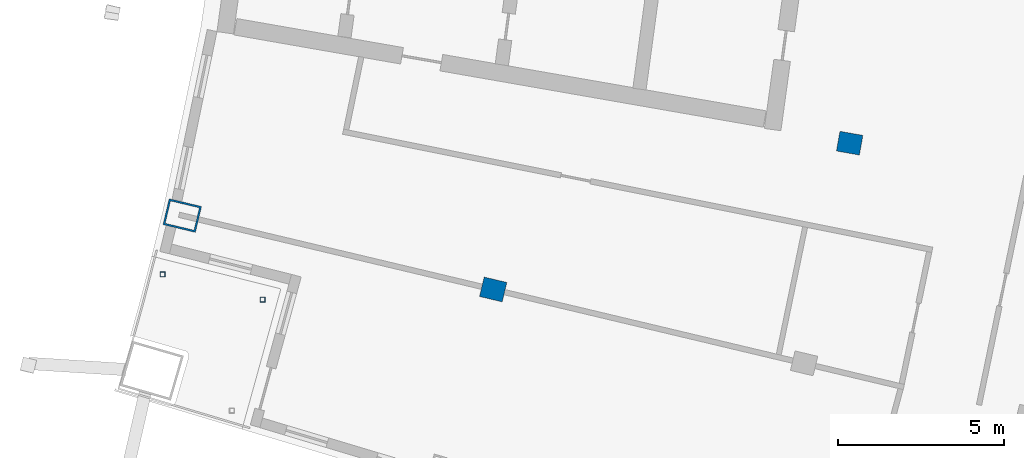
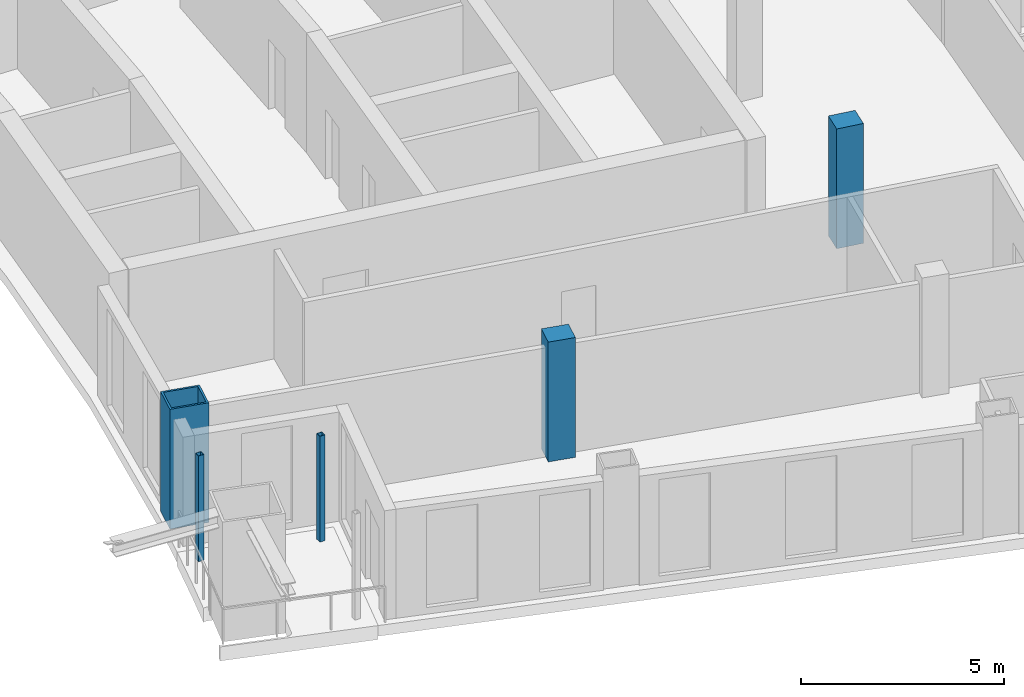
# One storey, part 3 of 20: 5 columns.
"""IFC4 building model written with IfcOpenShell, lengths in metres."""

import ifcopenshell
import ifcopenshell.guid

model = None  # the IFC model being written
_history = None  # IfcOwnerHistory: only IFC2X3 demands one
_inside = {}  # id of a spatial element -> (the spatial element, [elements in it])
_under = {}  # id of a project, library or spatial element -> (it, [spatial elements below it])
_declared = {}  # id of a project -> (the project, [libraries it declares])
_typed = {}  # id of a type object -> (the type object, [elements of that type])
_made_of = {}  # id of a material, layer set ... -> (it, [elements and type objects made of it])


def new_model(schema):
    """Start an empty IFC model of exactly this schema.

    Asked for "IFC4X3", IfcOpenShell would pick the latest addendum, in which some entities
    have other attributes; the version numbers below select the first issue.
    IFC2X3 requires an IfcOwnerHistory on every rooted entity: one is made here for all.
    """
    global model, _history
    if schema == "IFC4X3":
        model = ifcopenshell.file(schema_version=(4, 3, 0, 0))
    else:
        model = ifcopenshell.file(schema=schema)
    _inside.clear()
    _under.clear()
    _declared.clear()
    _typed.clear()
    _made_of.clear()
    _history = None
    if model.schema == "IFC2X3":
        org = make("IfcOrganization", Name="unknown")
        user = make(
            "IfcPersonAndOrganization",
            ThePerson=make("IfcPerson", FamilyName="unknown"),
            TheOrganization=org,
        )
        app = make(
            "IfcApplication",
            ApplicationDeveloper=org,
            Version="unknown",
            ApplicationFullName="unknown",
            ApplicationIdentifier="unknown",
        )
        _history = make(
            "IfcOwnerHistory",
            OwningUser=user,
            OwningApplication=app,
            ChangeAction="ADDED",
            CreationDate=0,
        )
    return model


def make(cls, **values):
    """One entity of the class cls with the attributes given. An attribute that is None is left unset."""
    return model.create_entity(
        cls, **{name: value for name, value in values.items() if value is not None}
    )


def rooted(cls, **values):
    """An entity with a GlobalId (a new one), such as an element, a storey or a relation."""
    return make(cls, GlobalId=ifcopenshell.guid.new(), OwnerHistory=_history, **values)


def si_unit(unit_type, name, prefix=None):
    """IfcSIUnit, for example si_unit("LENGTHUNIT", "METRE", prefix="MILLI")."""
    return make("IfcSIUnit", UnitType=unit_type, Prefix=prefix, Name=name)


def assignment(units):
    """IfcUnitAssignment: the units of a project."""
    return None if units is None else make("IfcUnitAssignment", Units=units)


def point(xyz):
    """IfcCartesianPoint."""
    return None if xyz is None else make("IfcCartesianPoint", Coordinates=xyz)


def direction(xyz):
    """IfcDirection."""
    return None if xyz is None else make("IfcDirection", DirectionRatios=xyz)


def frame(location, z_axis=None, x_axis=None):
    """IfcAxis2Placement3D, a coordinate frame: its origin and axes. An axis left out is left unset."""
    return make(
        "IfcAxis2Placement3D",
        Location=point(location),
        Axis=direction(z_axis),
        RefDirection=direction(x_axis),
    )


def frame_2d(location, x_axis=None):
    """IfcAxis2Placement2D, a coordinate frame in the plane: its origin and x axis."""
    return make(
        "IfcAxis2Placement2D", Location=point(location), RefDirection=direction(x_axis)
    )


def origin():
    """The frame at (0, 0, 0) with its axes left unset."""
    return frame((0.0, 0.0, 0.0))


def origin_2d():
    """The frame at (0, 0) in the plane with its x axis left unset."""
    return frame_2d((0.0, 0.0))


def place(relative_to, where):
    """IfcLocalPlacement: puts the frame where relative to a parent placement (None: the world)."""
    return make(
        "IfcLocalPlacement", PlacementRelTo=relative_to, RelativePlacement=where
    )


def context(
    kind, dimensions, precision=None, world=None, true_north=None, identifier=None
):
    """IfcGeometricRepresentationContext, for example the 3D "Model" context."""
    return make(
        "IfcGeometricRepresentationContext",
        ContextIdentifier=identifier,
        ContextType=kind,
        CoordinateSpaceDimension=dimensions,
        Precision=precision,
        WorldCoordinateSystem=world,
        TrueNorth=true_north,
    )


def subcontext(parent, identifier, kind, view, scale=None):
    """IfcGeometricRepresentationSubContext, for example "Body" below "Model"."""
    return make(
        "IfcGeometricRepresentationSubContext",
        ContextIdentifier=identifier,
        ContextType=kind,
        ParentContext=parent,
        TargetScale=scale,
        TargetView=view,
    )


def project(units=None, contexts=None):
    """IfcProject with its units and contexts."""
    return rooted(
        "IfcProject",
        Name="project",
        RepresentationContexts=contexts,
        UnitsInContext=assignment(units),
    )


def spatial(cls, under=None, at=None, **own):
    """A site, building, storey or space (cls), placed at a placement, below another one or the project."""
    s = rooted(cls, ObjectPlacement=at, **own)
    if under is not None:
        _under.setdefault(under.id(), (under, []))[1].append(s)
    return s


def profile(cls, at=None, kind="AREA", **sizes):
    """A parametric profile (cls). Its sizes go by their IFC names, for example OverallWidth=200.0."""
    return make(cls, ProfileType=kind, Position=at, **sizes)


def rectangle(**sizes):
    """IfcRectangleProfileDef."""
    return profile("IfcRectangleProfileDef", **sizes)


def hollow_rectangle(**sizes):
    """IfcRectangleHollowProfileDef."""
    return profile("IfcRectangleHollowProfileDef", **sizes)


def extrude(swept, where, along, depth):
    """IfcExtrudedAreaSolid: the profile swept, set in the frame where, extruded along a direction by depth."""
    return make(
        "IfcExtrudedAreaSolid",
        SweptArea=swept,
        Position=where,
        ExtrudedDirection=direction(along),
        Depth=depth,
    )


def shape(context_of_items, identifier, shape_type, items):
    """IfcShapeRepresentation: the items that make up one representation, for example the "Body"."""
    return make(
        "IfcShapeRepresentation",
        ContextOfItems=context_of_items,
        RepresentationIdentifier=identifier,
        RepresentationType=shape_type,
        Items=items,
    )


def material(Name=None, Category=None):
    """IfcMaterial."""
    return make("IfcMaterial", Name=Name, Category=Category)


def material_profile(
    of_material, cross_section, Name=None, Category=None, Priority=None
):
    """IfcMaterialProfile: a cross section and its material."""
    return make(
        "IfcMaterialProfile",
        Name=Name,
        Material=of_material,
        Profile=cross_section,
        Priority=Priority,
        Category=Category,
    )


def profile_set(profiles, Name=None, composite=None):
    """IfcMaterialProfileSet."""
    return make(
        "IfcMaterialProfileSet",
        Name=Name,
        MaterialProfiles=profiles,
        CompositeProfile=composite,
    )


def made_of(thing, what):
    """Note that an element or type object is made of a material, layer set ...; save() writes the relation."""
    if what is not None:
        _made_of.setdefault(what.id(), (what, []))[1].append(thing)
    return thing


def type_object(cls, material=None, **own):
    """A type object (cls), such as IfcWallType, which elements share."""
    return made_of(rooted(cls, **own), material)


def element(
    cls,
    number,
    at=None,
    inside=None,
    cuts=None,
    type_object=None,
    material=None,
    context=None,
    identifier="Body",
    shape_type=None,
    held_by="IfcProductDefinitionShape",
    body=None,
    shapes=None,
    **own,
):
    """One element of the class cls, such as IfcWall. Its Tag is "e" and its number.

    at: its placement. inside: the storey or other place that contains it. cuts: it is an
    opening in that element (IfcRelVoidsElement). A single representation is given by context,
    identifier, shape_type and body (its items); several are given by shapes. held_by: the class
    of the entity that holds the representations. save() writes the other relations.
    """
    e = rooted(cls, Tag="e%d" % number, ObjectPlacement=at, **own)
    if body is not None:
        shapes = [shape(context, identifier, shape_type, body)]
    if shapes is not None:
        e.Representation = make(held_by, Representations=shapes)
    if inside is not None:
        _inside.setdefault(inside.id(), (inside, []))[1].append(e)
    if cuts is not None:
        rooted(
            "IfcRelVoidsElement", RelatingBuildingElement=cuts, RelatedOpeningElement=e
        )
    if type_object is not None:
        _typed.setdefault(type_object.id(), (type_object, []))[1].append(e)
    return made_of(e, material)


def aggregate(whole, parts):
    """IfcRelAggregates: a whole, such as a stair, and the parts it consists of."""
    return rooted("IfcRelAggregates", RelatingObject=whole, RelatedObjects=parts)


def save(model, path):
    """Write the relations noted so far, then the file.

    IfcRelAggregates (storeys below a building ...), IfcRelContainedInSpatialStructure (elements
    in a storey), IfcRelDefinesByType, IfcRelAssociatesMaterial and IfcRelDeclares: one each for
    every whole, place, type object, material and project.
    """
    for whole, parts in _under.values():
        aggregate(whole, parts)
    for where, things in _inside.values():
        rooted(
            "IfcRelContainedInSpatialStructure",
            RelatedElements=things,
            RelatingStructure=where,
        )
    for kind, things in _typed.values():
        rooted("IfcRelDefinesByType", RelatedObjects=things, RelatingType=kind)
    for what, things in _made_of.values():
        rooted("IfcRelAssociatesMaterial", RelatedObjects=things, RelatingMaterial=what)
    for by, libraries in _declared.values():
        rooted("IfcRelDeclares", RelatingContext=by, RelatedDefinitions=libraries)
    model.write(path)


model = new_model("IFC4")

# Units and contexts
model_context = context("Model", 3, precision=1e-05, world=origin(), true_north=direction((0.0, 1.0)))
body_context = subcontext(model_context, "Body", "Model", "MODEL_VIEW")
ifc_project = project(units=[si_unit("LENGTHUNIT", "METRE"), si_unit("AREAUNIT", "SQUARE_METRE"), si_unit("VOLUMEUNIT", "CUBIC_METRE"), si_unit("PLANEANGLEUNIT", "RADIAN"), si_unit("MASSUNIT", "GRAM", prefix="KILO")], contexts=[model_context])

# Site, building, storey
site_placement = place(None, origin())
site = spatial("IfcSite", under=ifc_project, at=site_placement, CompositionType="ELEMENT")
building_placement = place(site_placement, origin())
building = spatial("IfcBuilding", under=site, at=building_placement, Name="Alderwake Tower", CompositionType="ELEMENT")
storey_placement = place(building_placement, frame((0.0, 0.0, 263.60009765625)))
storey = spatial("IfcBuildingStorey", under=building, at=storey_placement, Name="L65", CompositionType="ELEMENT", Elevation=263.60009765625)

# Columns
ifc_material_1 = material(Name="Concrete C70/85", Category="concrete")
ifc_material_profile_1 = material_profile(ifc_material_1, rectangle(XDim=0.60009765625, YDim=0.699951171875, at=origin_2d()), Name="RC 700X600")
ifc_profile_set_1 = profile_set([ifc_material_profile_1], Name="Concrete C70/85")
column_type_1 = type_object("IfcColumnType", Name="Interior column Z5", PredefinedType="COLUMN", material=ifc_profile_set_1)
for number, where, z_axis, x_axis, name in (
    (1, (23.322021484375, 36.444091796875, 0.0), (0.0, 0.0, 1.0), (0.231221547198, 0.972901123502, 0.0), "Column R03-C1"),
    (2, (34.03125, 40.83837890625, 0.0), (0.0, 0.0, 1.0), (0.174108800747, 0.984726421654, 0.0), "Column R04-C2"),
):
    element("IfcColumn", number, at=place(storey_placement, frame(where, z_axis=z_axis, x_axis=x_axis)), inside=storey, type_object=column_type_1, Name=name, PredefinedType="COLUMN", context=body_context, shape_type="SweptSolid", body=[
        extrude(rectangle(XDim=0.60009765625, YDim=0.699951171875, at=origin_2d()), origin(), (0.0, 0.0, 1.0), 3.599853515625),
    ])
ifc_material_2 = material(Name="Steel ASTM A500 Grade C", Category="steel")
ifc_material_profile_2 = material_profile(ifc_material_2, hollow_rectangle(XDim=0.15234375, YDim=0.15234375, WallThickness=0.0087890625, at=origin_2d()), Name="HSS6X6X3/8")
ifc_profile_set_2 = profile_set([ifc_material_profile_2], Name="Steel ASTM A500 Grade C")
column_type_2 = type_object("IfcColumnType", Name="Light post HSS6X6X3/8", PredefinedType="COLUMN", material=ifc_profile_set_2)
for number, where, z_axis, x_axis, name in (
    (3, (13.3896484375, 36.896484375, 0.0), (0.0, 0.0, 1.0), (1.0, 0.0, 0.0), "Terrace post RS1"),
    (4, (16.39501953125, 36.135986328125, 0.0), (0.0, 0.0, 1.0), (1.0, 0.0, 0.0), "Terrace post RS3"),
):
    element("IfcColumn", number, at=place(storey_placement, frame(where, z_axis=z_axis, x_axis=x_axis)), inside=storey, type_object=column_type_2, Name=name, PredefinedType="COLUMN", context=body_context, shape_type="SweptSolid", body=[
        extrude(hollow_rectangle(XDim=0.15234375, YDim=0.15234375, WallThickness=0.0087890625, at=origin_2d()), origin(), (0.0, 0.0, 1.0), 3.179931640625),
    ])
ifc_material_3 = material(Name="Steel ASTM A572 Grade 50 concrete filled C70/85", Category="concrete")
ifc_material_profile_3 = material_profile(ifc_material_3, hollow_rectangle(XDim=0.800048828125, YDim=1.0, WallThickness=0.054931640625, at=origin_2d()), Name="BOX 1000X800X55")
ifc_profile_set_3 = profile_set([ifc_material_profile_3], Name="Steel ASTM A572 Grade 50 concrete filled C70/85")
column_type_3 = type_object("IfcColumnType", Name="Perimeter column Z5", PredefinedType="COLUMN", material=ifc_profile_set_3)
column_placement = place(storey_placement, frame((13.982177734375, 38.6640625, 0.0), z_axis=(0.0, 0.0, 1.0), x_axis=(0.231221547198, 0.972901123502, 0.0)))
element("IfcColumn", 5, at=column_placement, inside=storey, type_object=column_type_3, Name="Column R03-C0", PredefinedType="COLUMN", context=body_context, shape_type="SweptSolid", body=[
    extrude(hollow_rectangle(XDim=0.800048828125, YDim=1.0, WallThickness=0.054931640625, at=origin_2d()), origin(), (0.0, 0.0, 1.0), 3.599853515625),
])

save(model, "model.ifc")
